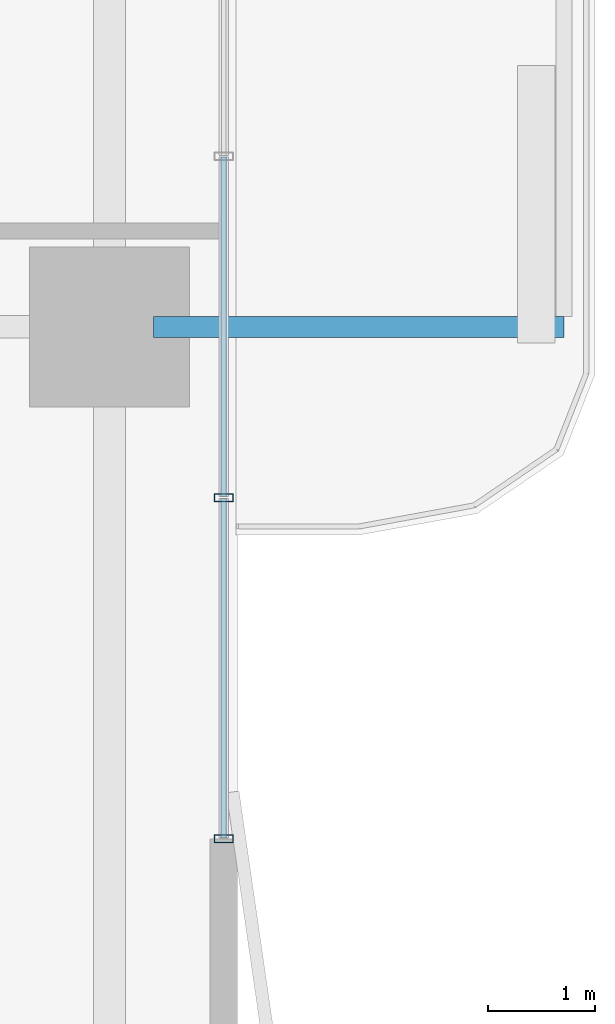
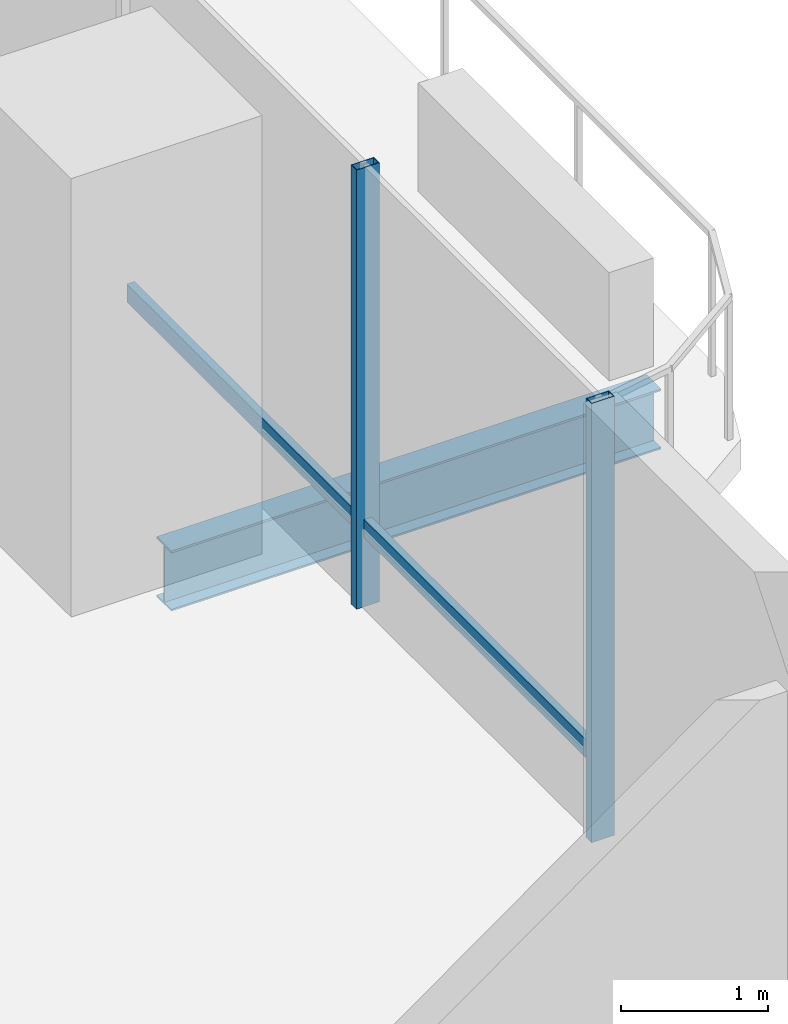
# One storey, part 8 of 24: 4 members, 1 beam, 1 element without a shape of its own.
"""IFC4 building model written with IfcOpenShell, lengths in metres."""

import ifcopenshell
import ifcopenshell.guid

model = None  # the IFC model being written
_history = None  # IfcOwnerHistory: only IFC2X3 demands one
_inside = {}  # id of a spatial element -> (the spatial element, [elements in it])
_under = {}  # id of a project, library or spatial element -> (it, [spatial elements below it])
_declared = {}  # id of a project -> (the project, [libraries it declares])
_typed = {}  # id of a type object -> (the type object, [elements of that type])
_made_of = {}  # id of a material, layer set ... -> (it, [elements and type objects made of it])


def new_model(schema):
    """Start an empty IFC model of exactly this schema.

    Asked for "IFC4X3", IfcOpenShell would pick the latest addendum, in which some entities
    have other attributes; the version numbers below select the first issue.
    IFC2X3 requires an IfcOwnerHistory on every rooted entity: one is made here for all.
    """
    global model, _history
    if schema == "IFC4X3":
        model = ifcopenshell.file(schema_version=(4, 3, 0, 0))
    else:
        model = ifcopenshell.file(schema=schema)
    _inside.clear()
    _under.clear()
    _declared.clear()
    _typed.clear()
    _made_of.clear()
    _history = None
    if model.schema == "IFC2X3":
        org = make("IfcOrganization", Name="unknown")
        user = make(
            "IfcPersonAndOrganization",
            ThePerson=make("IfcPerson", FamilyName="unknown"),
            TheOrganization=org,
        )
        app = make(
            "IfcApplication",
            ApplicationDeveloper=org,
            Version="unknown",
            ApplicationFullName="unknown",
            ApplicationIdentifier="unknown",
        )
        _history = make(
            "IfcOwnerHistory",
            OwningUser=user,
            OwningApplication=app,
            ChangeAction="ADDED",
            CreationDate=0,
        )
    return model


def make(cls, **values):
    """One entity of the class cls with the attributes given. An attribute that is None is left unset."""
    return model.create_entity(
        cls, **{name: value for name, value in values.items() if value is not None}
    )


def rooted(cls, **values):
    """An entity with a GlobalId (a new one), such as an element, a storey or a relation."""
    return make(cls, GlobalId=ifcopenshell.guid.new(), OwnerHistory=_history, **values)


def si_unit(unit_type, name, prefix=None):
    """IfcSIUnit, for example si_unit("LENGTHUNIT", "METRE", prefix="MILLI")."""
    return make("IfcSIUnit", UnitType=unit_type, Prefix=prefix, Name=name)


def assignment(units):
    """IfcUnitAssignment: the units of a project."""
    return None if units is None else make("IfcUnitAssignment", Units=units)


def point(xyz):
    """IfcCartesianPoint."""
    return None if xyz is None else make("IfcCartesianPoint", Coordinates=xyz)


def direction(xyz):
    """IfcDirection."""
    return None if xyz is None else make("IfcDirection", DirectionRatios=xyz)


def frame(location, z_axis=None, x_axis=None):
    """IfcAxis2Placement3D, a coordinate frame: its origin and axes. An axis left out is left unset."""
    return make(
        "IfcAxis2Placement3D",
        Location=point(location),
        Axis=direction(z_axis),
        RefDirection=direction(x_axis),
    )


def frame_2d(location, x_axis=None):
    """IfcAxis2Placement2D, a coordinate frame in the plane: its origin and x axis."""
    return make(
        "IfcAxis2Placement2D", Location=point(location), RefDirection=direction(x_axis)
    )


def origin():
    """The frame at (0, 0, 0) with its axes left unset."""
    return frame((0.0, 0.0, 0.0))


def origin_2d():
    """The frame at (0, 0) in the plane with its x axis left unset."""
    return frame_2d((0.0, 0.0))


def place(relative_to, where):
    """IfcLocalPlacement: puts the frame where relative to a parent placement (None: the world)."""
    return make(
        "IfcLocalPlacement", PlacementRelTo=relative_to, RelativePlacement=where
    )


def context(
    kind, dimensions, precision=None, world=None, true_north=None, identifier=None
):
    """IfcGeometricRepresentationContext, for example the 3D "Model" context."""
    return make(
        "IfcGeometricRepresentationContext",
        ContextIdentifier=identifier,
        ContextType=kind,
        CoordinateSpaceDimension=dimensions,
        Precision=precision,
        WorldCoordinateSystem=world,
        TrueNorth=true_north,
    )


def subcontext(parent, identifier, kind, view, scale=None):
    """IfcGeometricRepresentationSubContext, for example "Body" below "Model"."""
    return make(
        "IfcGeometricRepresentationSubContext",
        ContextIdentifier=identifier,
        ContextType=kind,
        ParentContext=parent,
        TargetScale=scale,
        TargetView=view,
    )


def project(units=None, contexts=None):
    """IfcProject with its units and contexts."""
    return rooted(
        "IfcProject",
        Name="project",
        RepresentationContexts=contexts,
        UnitsInContext=assignment(units),
    )


def spatial(cls, under=None, at=None, **own):
    """A site, building, storey or space (cls), placed at a placement, below another one or the project."""
    s = rooted(cls, ObjectPlacement=at, **own)
    if under is not None:
        _under.setdefault(under.id(), (under, []))[1].append(s)
    return s


def profile(cls, at=None, kind="AREA", **sizes):
    """A parametric profile (cls). Its sizes go by their IFC names, for example OverallWidth=200.0."""
    return make(cls, ProfileType=kind, Position=at, **sizes)


def hollow_rectangle(**sizes):
    """IfcRectangleHollowProfileDef."""
    return profile("IfcRectangleHollowProfileDef", **sizes)


def i_section(**sizes):
    """IfcIShapeProfileDef."""
    return profile("IfcIShapeProfileDef", **sizes)


def extrude(swept, where, along, depth):
    """IfcExtrudedAreaSolid: the profile swept, set in the frame where, extruded along a direction by depth."""
    return make(
        "IfcExtrudedAreaSolid",
        SweptArea=swept,
        Position=where,
        ExtrudedDirection=direction(along),
        Depth=depth,
    )


def shape(context_of_items, identifier, shape_type, items):
    """IfcShapeRepresentation: the items that make up one representation, for example the "Body"."""
    return make(
        "IfcShapeRepresentation",
        ContextOfItems=context_of_items,
        RepresentationIdentifier=identifier,
        RepresentationType=shape_type,
        Items=items,
    )


def material(Name=None, Category=None):
    """IfcMaterial."""
    return make("IfcMaterial", Name=Name, Category=Category)


def layer(
    of_material, thickness, ventilated=None, Name=None, Category=None, Priority=None
):
    """IfcMaterialLayer: one layer of a wall or slab, of a material (None: an air gap)."""
    return make(
        "IfcMaterialLayer",
        Material=of_material,
        LayerThickness=thickness,
        IsVentilated=ventilated,
        Name=Name,
        Category=Category,
        Priority=Priority,
    )


def layer_set(layers, Name=None):
    """IfcMaterialLayerSet."""
    return make("IfcMaterialLayerSet", MaterialLayers=layers, LayerSetName=Name)


def material_profile(
    of_material, cross_section, Name=None, Category=None, Priority=None
):
    """IfcMaterialProfile: a cross section and its material."""
    return make(
        "IfcMaterialProfile",
        Name=Name,
        Material=of_material,
        Profile=cross_section,
        Priority=Priority,
        Category=Category,
    )


def profile_set(profiles, Name=None, composite=None):
    """IfcMaterialProfileSet."""
    return make(
        "IfcMaterialProfileSet",
        Name=Name,
        MaterialProfiles=profiles,
        CompositeProfile=composite,
    )


def made_of(thing, what):
    """Note that an element or type object is made of a material, layer set ...; save() writes the relation."""
    if what is not None:
        _made_of.setdefault(what.id(), (what, []))[1].append(thing)
    return thing


def type_object(cls, material=None, **own):
    """A type object (cls), such as IfcWallType, which elements share."""
    return made_of(rooted(cls, **own), material)


def element(
    cls,
    number,
    at=None,
    inside=None,
    cuts=None,
    type_object=None,
    material=None,
    context=None,
    identifier="Body",
    shape_type=None,
    held_by="IfcProductDefinitionShape",
    body=None,
    shapes=None,
    **own,
):
    """One element of the class cls, such as IfcWall. Its Tag is "e" and its number.

    at: its placement. inside: the storey or other place that contains it. cuts: it is an
    opening in that element (IfcRelVoidsElement). A single representation is given by context,
    identifier, shape_type and body (its items); several are given by shapes. held_by: the class
    of the entity that holds the representations. save() writes the other relations.
    """
    e = rooted(cls, Tag="e%d" % number, ObjectPlacement=at, **own)
    if body is not None:
        shapes = [shape(context, identifier, shape_type, body)]
    if shapes is not None:
        e.Representation = make(held_by, Representations=shapes)
    if inside is not None:
        _inside.setdefault(inside.id(), (inside, []))[1].append(e)
    if cuts is not None:
        rooted(
            "IfcRelVoidsElement", RelatingBuildingElement=cuts, RelatedOpeningElement=e
        )
    if type_object is not None:
        _typed.setdefault(type_object.id(), (type_object, []))[1].append(e)
    return made_of(e, material)


def aggregate(whole, parts):
    """IfcRelAggregates: a whole, such as a stair, and the parts it consists of."""
    return rooted("IfcRelAggregates", RelatingObject=whole, RelatedObjects=parts)


def save(model, path):
    """Write the relations noted so far, then the file.

    IfcRelAggregates (storeys below a building ...), IfcRelContainedInSpatialStructure (elements
    in a storey), IfcRelDefinesByType, IfcRelAssociatesMaterial and IfcRelDeclares: one each for
    every whole, place, type object, material and project.
    """
    for whole, parts in _under.values():
        aggregate(whole, parts)
    for where, things in _inside.values():
        rooted(
            "IfcRelContainedInSpatialStructure",
            RelatedElements=things,
            RelatingStructure=where,
        )
    for kind, things in _typed.values():
        rooted("IfcRelDefinesByType", RelatedObjects=things, RelatingType=kind)
    for what, things in _made_of.values():
        rooted("IfcRelAssociatesMaterial", RelatedObjects=things, RelatingMaterial=what)
    for by, libraries in _declared.values():
        rooted("IfcRelDeclares", RelatingContext=by, RelatedDefinitions=libraries)
    model.write(path)


model = new_model("IFC4")

# Units and contexts
model_context = context("Model", 3, precision=1e-05, world=origin(), true_north=direction((0.0, 1.0)))
body_context = subcontext(model_context, "Body", "Model", "MODEL_VIEW")
ifc_project = project(units=[si_unit("LENGTHUNIT", "METRE"), si_unit("AREAUNIT", "SQUARE_METRE"), si_unit("VOLUMEUNIT", "CUBIC_METRE"), si_unit("PLANEANGLEUNIT", "RADIAN"), si_unit("MASSUNIT", "GRAM", prefix="KILO")], contexts=[model_context])

# Site, building, storey
site_placement = place(None, origin())
site = spatial("IfcSite", under=ifc_project, at=site_placement, CompositionType="ELEMENT")
building_placement = place(site_placement, origin())
building = spatial("IfcBuilding", under=site, at=building_placement, Name="Belovzor Exchange Tower", CompositionType="ELEMENT")
storey_placement = place(building_placement, frame((0.0, 0.0, 72.89990234375)))
storey = spatial("IfcBuildingStorey", under=building, at=storey_placement, Name="L17", CompositionType="ELEMENT", Elevation=72.89990234375)

# Beam
ifc_material_1 = material(Name="Steel S355", Category="steel")
ifc_material_profile_1 = material_profile(ifc_material_1, i_section(OverallWidth=0.199951171875, OverallDepth=0.5, WebThickness=0.01025390625, FlangeThickness=0.01611328125, at=origin_2d()))
ifc_profile_set_1 = profile_set([ifc_material_profile_1], Name="Steel S355")
beam_type = type_object("IfcBeamType", Name="Planted Balcony Cantilever Beam IPE 500", PredefinedType="BEAM", material=ifc_profile_set_1)
beam_placement = place(storey_placement, frame((55.9130859375, 28.800048828125, -0.5), z_axis=(1.0, 0.0, 0.0), x_axis=(0.0, 1.0, 0.0)))
element("IfcBeam", 1, at=beam_placement, inside=storey, type_object=beam_type, Name="BC-500 Planted Balcony Cantilever Beam IPE 500", PredefinedType="BEAM", context=body_context, shape_type="SweptSolid", body=[
    extrude(i_section(OverallWidth=0.199951171875, OverallDepth=0.5, WebThickness=0.01025390625, FlangeThickness=0.01611328125, at=origin_2d()), origin(), (0.0, 0.0, 1.0), 3.849853515625),
])

# Curtain wall, members
ifc_material_2 = material(Name="Anodised Aluminium Framing", Category="aluminium")
ifc_layer = layer(ifc_material_2, 0.179931640625)
ifc_layer_set = layer_set([ifc_layer], Name="Anodised Aluminium Framing")
curtain_wall_type = type_object("IfcCurtainWallType", Name="Recessed Loggia Low-Iron Triple-Glazed Curtain Wall", PredefinedType="NOTDEFINED", material=ifc_layer_set)
curtain_wall_placement = place(storey_placement, origin())
curtain_wall = element("IfcCurtainWall", 2, at=curtain_wall_placement, inside=storey, type_object=curtain_wall_type, Name="CW3 Recessed Loggia Low-Iron Triple-Glazed Curtain Wall L17", PredefinedType="NOTDEFINED")
ifc_material_3 = material(Name="Steel S355", Category="steel")
ifc_material_profile_2 = material_profile(ifc_material_3, hollow_rectangle(XDim=0.074951171875, YDim=0.179931640625, WallThickness=0.0048828125, at=origin_2d()))
ifc_profile_set_2 = profile_set([ifc_material_profile_2], Name="Steel S355")
member_type_1 = type_object("IfcMemberType", Name="Thermally Broken Curtain Wall Mullion 180x75", PredefinedType="MULLION", material=ifc_profile_set_2)
member_1_placement = place(storey_placement, frame((56.570068359375, 27.199951171875, 0.0), z_axis=(0.0, 0.0, 1.0), x_axis=(0.0, -1.0, 0.0)))
member_1 = element("IfcMember", 3, at=member_1_placement, type_object=member_type_1, Name="CW-M180 Curtain Wall Mullion 3", PredefinedType="MULLION", context=body_context, shape_type="SweptSolid", body=[
    extrude(hollow_rectangle(XDim=0.074951171875, YDim=0.179931640625, WallThickness=0.0048828125, at=origin_2d()), origin(), (0.0, 0.0, 1.0), 3.650146484375),
])
member_2_placement = place(storey_placement, frame((56.570068359375, 24.0, 0.0), z_axis=(0.0, 0.0, 1.0), x_axis=(0.0, -1.0, 0.0)))
member_2 = element("IfcMember", 4, at=member_2_placement, type_object=member_type_1, Name="CW-M180 Curtain Wall Mullion 4", PredefinedType="MULLION", context=body_context, shape_type="SweptSolid", body=[
    extrude(hollow_rectangle(XDim=0.074951171875, YDim=0.179931640625, WallThickness=0.0048828125, at=origin_2d()), origin(), (0.0, 0.0, 1.0), 3.650146484375),
])
ifc_material_4 = material(Name="Steel S355", Category="steel")
ifc_material_profile_3 = material_profile(ifc_material_4, hollow_rectangle(XDim=0.06005859375, YDim=0.14990234375, WallThickness=0.00390625, at=origin_2d()))
ifc_profile_set_3 = profile_set([ifc_material_profile_3], Name="Steel S355")
member_type_2 = type_object("IfcMemberType", Name="Thermally Broken Curtain Wall Transom 150x60", PredefinedType="USERDEFINED", material=ifc_profile_set_3)
member_3_placement = place(storey_placement, frame((56.570068359375, 30.39208984375, 0.650146484375), z_axis=(0.0, -1.0, 0.0), x_axis=(1.0, 0.0, 0.0)))
member_3 = element("IfcMember", 5, at=member_3_placement, type_object=member_type_2, Name="CW-T150 Curtain Wall Transom 2", ObjectType="TRANSOM", PredefinedType="USERDEFINED", context=body_context, shape_type="SweptSolid", body=[
    extrude(hollow_rectangle(XDim=0.06005859375, YDim=0.14990234375, WallThickness=0.00390625, at=origin_2d()), origin(), (0.0, 0.0, 1.0), 3.18408203125),
])
member_4_placement = place(storey_placement, frame((56.570068359375, 27.19189453125, 0.650146484375), z_axis=(0.0, -1.0, 0.0), x_axis=(1.0, 0.0, 0.0)))
member_4 = element("IfcMember", 6, at=member_4_placement, type_object=member_type_2, Name="CW-T150 Curtain Wall Transom 3", ObjectType="TRANSOM", PredefinedType="USERDEFINED", context=body_context, shape_type="SweptSolid", body=[
    extrude(hollow_rectangle(XDim=0.06005859375, YDim=0.14990234375, WallThickness=0.00390625, at=origin_2d()), origin(), (0.0, 0.0, 1.0), 3.183837890625),
])
aggregate(curtain_wall, [member_1, member_2, member_3, member_4])

save(model, "model.ifc")
